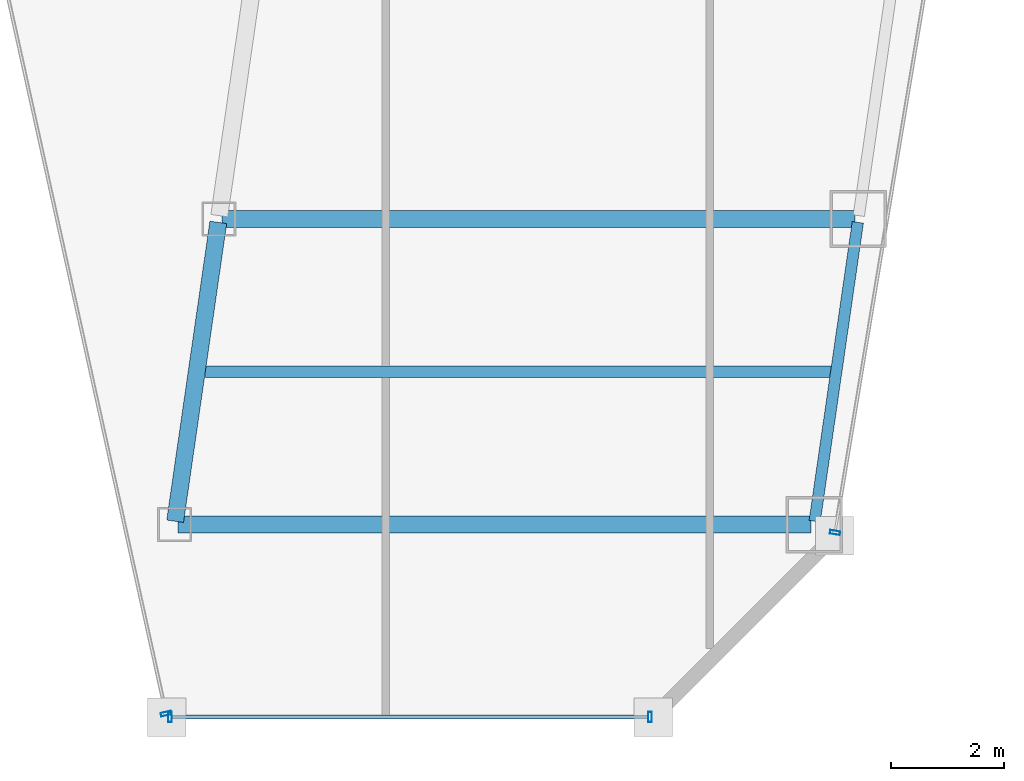
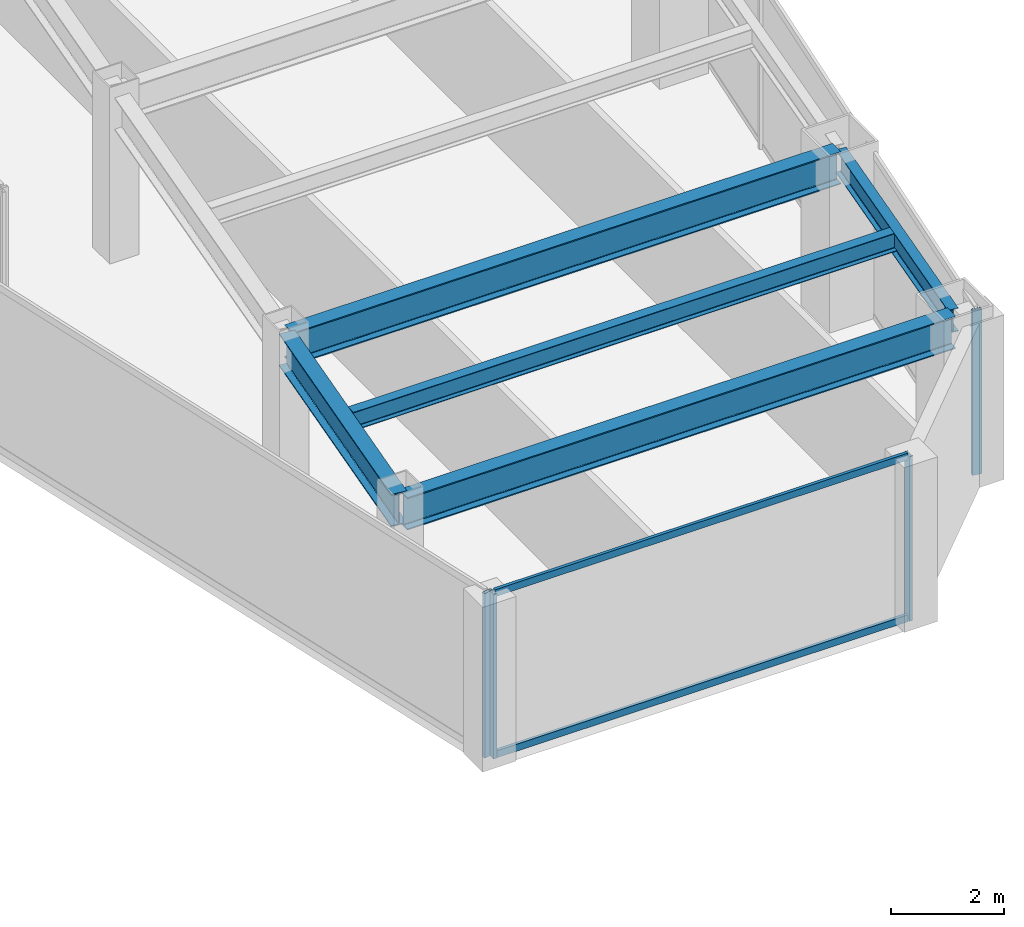
# One storey, part 15 of 38: 6 members, 5 beams, 3 elements without a shape of their own.
"""IFC4 building model written with IfcOpenShell, lengths in metres."""

from ifc_helpers import new_model, si_unit, direction, frame, origin, origin_2d, place, context, subcontext, project, spatial, hollow_rectangle, i_section, extrude, material, material_profile, profile_set, type_object, element, aggregate, save


model = new_model("IFC4")

# Units and contexts
model_context = context("Model", 3, precision=1e-05, world=origin(), true_north=direction((0.0, 1.0)))
body_context = subcontext(model_context, "Body", "Model", "MODEL_VIEW")
ifc_project = project(units=[si_unit("LENGTHUNIT", "METRE"), si_unit("AREAUNIT", "SQUARE_METRE"), si_unit("VOLUMEUNIT", "CUBIC_METRE"), si_unit("PLANEANGLEUNIT", "RADIAN"), si_unit("MASSUNIT", "GRAM", prefix="KILO")], contexts=[model_context])

# Site, building, storey
site_placement = place(None, origin())
site = spatial("IfcSite", under=ifc_project, at=site_placement, CompositionType="ELEMENT")
building_placement = place(site_placement, origin())
building = spatial("IfcBuilding", under=site, at=building_placement, Name="Saevonmaru Cultural Tower", CompositionType="ELEMENT")
storey_placement = place(building_placement, frame((0.0, 0.0, 133.39990234375)))
storey = spatial("IfcBuildingStorey", under=building, at=storey_placement, Name="L28", CompositionType="ELEMENT", Elevation=133.39990234375)

# Beams
ifc_material_1 = material(Name="Steel SM355", Category="steel")
ifc_material_profile_1 = material_profile(ifc_material_1, i_section(OverallWidth=0.300048828125, OverallDepth=0.699951171875, WebThickness=0.012939453125, FlangeThickness=0.02392578125, FilletRadius=0.02587890625, at=origin_2d()), Name="H-700x300x13x24")
ifc_profile_set_1 = profile_set([ifc_material_profile_1], Name="Steel SM355")
beam_type_1 = type_object("IfcBeamType", Name="BM-G-H700", PredefinedType="BEAM", material=ifc_profile_set_1)
beam_1_placement = place(storey_placement, frame((37.300537109375, 10.659423828125, 3.2001953125), z_axis=(0.142977693794, 0.989725911087, 0.0), x_axis=(-0.989725911087, 0.142977693794, 0.0)))
element("IfcBeam", 1, at=beam_1_placement, inside=storey, type_object=beam_type_1, Name="L28 East Atrium Girder 1", PredefinedType="BEAM", context=body_context, shape_type="SweptSolid", body=[
    extrude(i_section(OverallWidth=0.300048828125, OverallDepth=0.699951171875, WebThickness=0.012939453125, FlangeThickness=0.02392578125, FilletRadius=0.02587890625, at=origin_2d()), origin(), (0.0, 0.0, 1.0), 5.336181640625),
])
for number, where, z_axis, x_axis, name in (
    (2, (37.35205078125, 10.60009765625, 3.2001953125), (1.0, 0.0, 0.0), (0.0, 1.0, 0.0), "L28 East Wing Transverse Girder 1"),
    (3, (38.132080078125, 16.0, 3.2001953125), (1.0, 0.0, 0.0), (0.0, 1.0, 0.0), "L28 East Wing Transverse Girder 2"),
):
    element("IfcBeam", number, at=place(storey_placement, frame(where, z_axis=z_axis, x_axis=x_axis)), inside=storey, type_object=beam_type_1, Name=name, PredefinedType="BEAM", context=body_context, shape_type="SweptSolid", body=[
        extrude(i_section(OverallWidth=0.300048828125, OverallDepth=0.699951171875, WebThickness=0.012939453125, FlangeThickness=0.02392578125, FilletRadius=0.02587890625, at=origin_2d()), origin(), (0.0, 0.0, 1.0), 11.179931640625),
    ])
ifc_material_profile_2 = material_profile(ifc_material_1, i_section(OverallWidth=0.199951171875, OverallDepth=0.39990234375, WebThickness=0.008056640625, FlangeThickness=0.012939453125, FilletRadius=0.01611328125, at=origin_2d()), Name="H-400x200x8x13")
ifc_profile_set_2 = profile_set([ifc_material_profile_2], Name="Steel SM355")
beam_type_2 = type_object("IfcBeamType", Name="BM-J-H400", PredefinedType="JOIST", material=ifc_profile_set_2)
beam_2_placement = place(storey_placement, frame((37.840087890625, 13.300048828125, 3.35009765625), z_axis=(1.0, 0.0, 0.0), x_axis=(0.0, 1.0, 0.0)))
element("IfcBeam", 4, at=beam_2_placement, inside=storey, type_object=beam_type_2, Name="L28 East Wing Floor Joist 1", PredefinedType="JOIST", context=body_context, shape_type="SweptSolid", body=[
    extrude(i_section(OverallWidth=0.199951171875, OverallDepth=0.39990234375, WebThickness=0.008056640625, FlangeThickness=0.012939453125, FilletRadius=0.01611328125, at=origin_2d()), origin(), (0.0, 0.0, 1.0), 11.08203125),
])
ifc_material_profile_3 = material_profile(ifc_material_1, i_section(OverallWidth=0.199951171875, OverallDepth=0.5, WebThickness=0.010009765625, FlangeThickness=0.01611328125, FilletRadius=0.02001953125, at=origin_2d()), Name="H-500x200x10x16")
ifc_profile_set_3 = profile_set([ifc_material_profile_3], Name="Steel SM355")
beam_type_3 = type_object("IfcBeamType", Name="BM-SP-H500", PredefinedType="SPANDREL", material=ifc_profile_set_3)
beam_3_placement = place(storey_placement, frame((48.6005859375, 10.659423828125, 3.300048828125), z_axis=(0.1429328758, 0.989732384544, 0.0), x_axis=(-0.989732384544, 0.1429328758, 0.0)))
element("IfcBeam", 5, at=beam_3_placement, inside=storey, type_object=beam_type_3, Name="L28 East Splayed Spandrel 1", PredefinedType="SPANDREL", context=body_context, shape_type="SweptSolid", body=[
    extrude(i_section(OverallWidth=0.199951171875, OverallDepth=0.5, WebThickness=0.010009765625, FlangeThickness=0.01611328125, FilletRadius=0.02001953125, at=origin_2d()), origin(), (0.0, 0.0, 1.0), 5.3359375),
])

# Curtain wall, member
ifc_material_2 = material(Name="Satin Bronze Anodised Aluminium", Category="aluminium")
curtain_wall_type = type_object("IfcCurtainWallType", Name="CW-TYP-A", PredefinedType="NOTDEFINED", material=ifc_material_2)
curtain_wall_1_placement = place(storey_placement, origin())
curtain_wall_1 = element("IfcCurtainWall", 6, at=curtain_wall_1_placement, inside=storey, type_object=curtain_wall_type, Name="L28 Unitised Curtain Wall E5", PredefinedType="NOTDEFINED")
ifc_material_profile_4 = material_profile(ifc_material_2, hollow_rectangle(XDim=0.06494140625, YDim=0.179931640625, WallThickness=0.00390625, at=origin_2d()), Name="ALU-MULL-180x65x4")
ifc_profile_set_4 = profile_set([ifc_material_profile_4], Name="Satin Bronze Anodised Aluminium")
member_type_1 = type_object("IfcMemberType", Name="ML-CW-180x65", PredefinedType="MULLION", material=ifc_profile_set_4)
member_1_placement = place(storey_placement, frame((37.13818359375, 7.258544921875, 0.0), z_axis=(0.0, 0.0, 1.0), x_axis=(0.215413319953, -0.976522965212, 0.0)))
member_1 = element("IfcMember", 7, at=member_1_placement, type_object=member_type_1, Name="CW-TW-L28-E5 mullion 2", PredefinedType="MULLION", context=body_context, shape_type="SweptSolid", body=[
    extrude(hollow_rectangle(XDim=0.06494140625, YDim=0.179931640625, WallThickness=0.00390625, at=origin_2d()), origin(), (0.0, 0.0, 1.0), 3.550048828125),
])
aggregate(curtain_wall_1, [member_1])

# Curtain wall, members
curtain_wall_2_placement = place(storey_placement, origin())
curtain_wall_2 = element("IfcCurtainWall", 8, at=curtain_wall_2_placement, inside=storey, type_object=curtain_wall_type, Name="L28 Unitised Curtain Wall E6", PredefinedType="NOTDEFINED")
member_2_placement = place(storey_placement, frame((37.211181640625, 7.199951171875, 0.0), z_axis=(0.0, 0.0, 1.0), x_axis=(1.0, 0.0, 0.0)))
member_2 = element("IfcMember", 9, at=member_2_placement, type_object=member_type_1, Name="CW-TW-L28-E6 mullion 1", PredefinedType="MULLION", context=body_context, shape_type="SweptSolid", body=[
    extrude(hollow_rectangle(XDim=0.06494140625, YDim=0.179931640625, WallThickness=0.00390625, at=origin_2d()), origin(), (0.0, 0.0, 1.0), 3.550048828125),
])
member_3_placement = place(storey_placement, frame((45.691162109375, 7.199951171875, 0.0), z_axis=(0.0, 0.0, 1.0), x_axis=(1.0, 0.0, 0.0)))
member_3 = element("IfcMember", 10, at=member_3_placement, type_object=member_type_1, Name="CW-TW-L28-E6 mullion 2", PredefinedType="MULLION", context=body_context, shape_type="SweptSolid", body=[
    extrude(hollow_rectangle(XDim=0.06494140625, YDim=0.179931640625, WallThickness=0.00390625, at=origin_2d()), origin(), (0.0, 0.0, 1.0), 3.550048828125),
])

# Curtain wall, member
curtain_wall_3_placement = place(storey_placement, origin())
curtain_wall_3 = element("IfcCurtainWall", 11, at=curtain_wall_3_placement, inside=storey, type_object=curtain_wall_type, Name="L28 Unitised Curtain Wall E8", PredefinedType="NOTDEFINED")
member_4_placement = place(storey_placement, frame((48.9609375, 10.459228515625, 0.0), z_axis=(0.0, 0.0, 1.0), x_axis=(0.163998702345, 0.986460554523, 0.0)))
member_4 = element("IfcMember", 12, at=member_4_placement, type_object=member_type_1, Name="CW-TW-L28-E8 mullion 1", PredefinedType="MULLION", context=body_context, shape_type="SweptSolid", body=[
    extrude(hollow_rectangle(XDim=0.06494140625, YDim=0.179931640625, WallThickness=0.00390625, at=origin_2d()), origin(), (0.0, 0.0, 1.0), 3.550048828125),
])
aggregate(curtain_wall_3, [member_4])

# Member
ifc_material_profile_5 = material_profile(ifc_material_2, hollow_rectangle(XDim=0.06494140625, YDim=0.14990234375, WallThickness=0.00390625, at=origin_2d()), Name="ALU-TRAN-150x65x4")
ifc_profile_set_5 = profile_set([ifc_material_profile_5], Name="Satin Bronze Anodised Aluminium")
member_type_2 = type_object("IfcMemberType", Name="TR-CW-150x65", PredefinedType="USERDEFINED", material=ifc_profile_set_5)
member_5_placement = place(storey_placement, frame((37.24365234375, 7.199951171875, 0.03271484375), z_axis=(1.0, 0.0, 0.0), x_axis=(0.0, 1.0, 0.0)))
member_5 = element("IfcMember", 13, at=member_5_placement, type_object=member_type_2, Name="CW-TW-L28-E6 transom 1.1", ObjectType="TRANSOM", PredefinedType="USERDEFINED", context=body_context, shape_type="SweptSolid", body=[
    extrude(hollow_rectangle(XDim=0.06494140625, YDim=0.14990234375, WallThickness=0.00390625, at=origin_2d()), origin(), (0.0, 0.0, 1.0), 8.4150390625),
])

member_6_placement = place(storey_placement, frame((37.24365234375, 7.199951171875, 3.517578125), z_axis=(1.0, 0.0, 0.0), x_axis=(0.0, 1.0, 0.0)))
member_6 = element("IfcMember", 14, at=member_6_placement, type_object=member_type_2, Name="CW-TW-L28-E6 transom 1.2", ObjectType="TRANSOM", PredefinedType="USERDEFINED", context=body_context, shape_type="SweptSolid", body=[
    extrude(hollow_rectangle(XDim=0.06494140625, YDim=0.14990234375, WallThickness=0.00390625, at=origin_2d()), origin(), (0.0, 0.0, 1.0), 8.4150390625),
])

aggregate(curtain_wall_2, [member_2, member_3, member_5, member_6])

save(model, "model.ifc")
